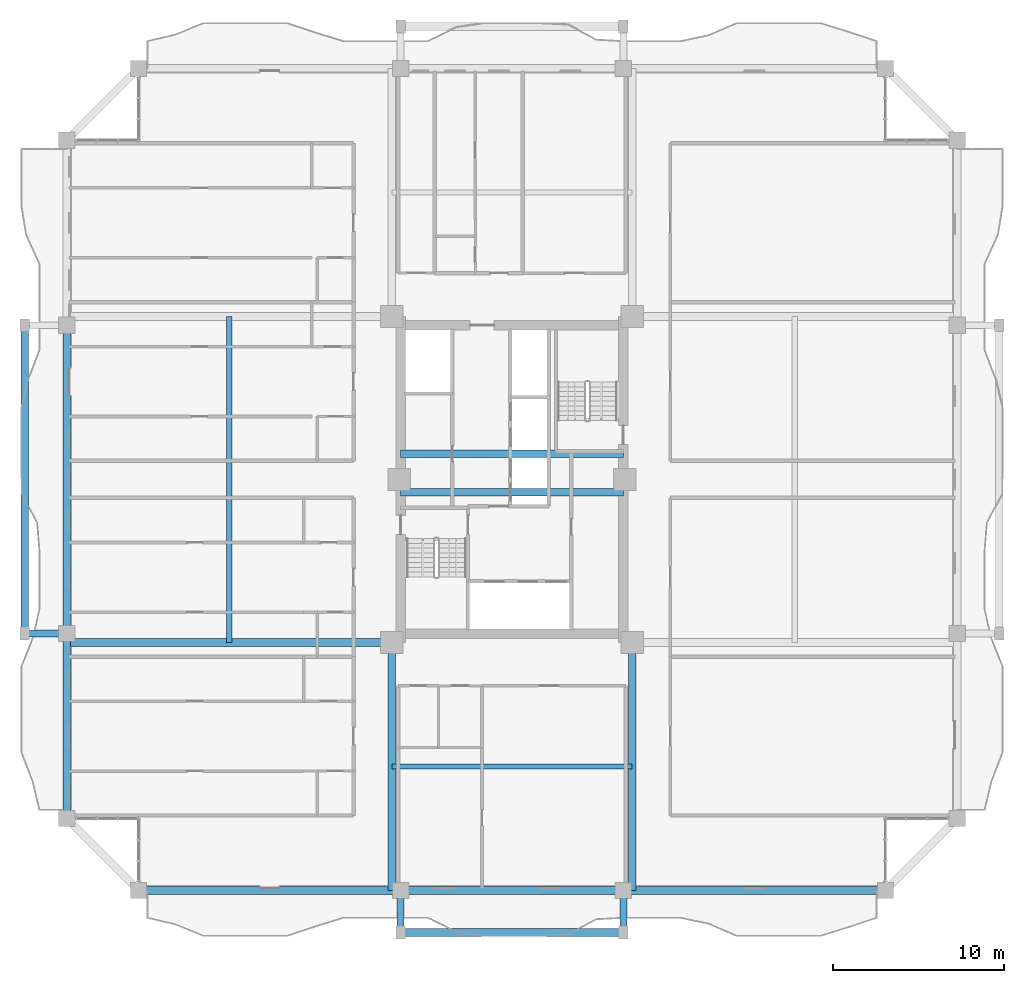
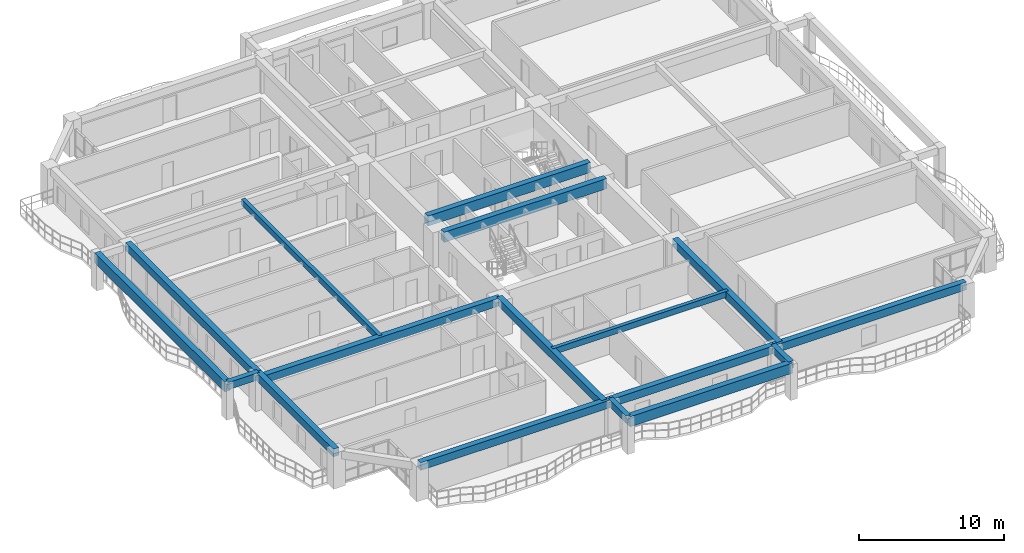
# One storey, part 3 of 22: 17 beams.
"""IFC4 building model written with IfcOpenShell, lengths in metres."""

from ifc_helpers import new_model, si_unit, direction, frame, origin, origin_2d, place, context, subcontext, project, spatial, rectangle, extrude, source, transform, mapped, material, material_profile, profile_set, type_object, element, save


model = new_model("IFC4")

# Units and contexts
model_context = context("Model", 3, precision=1e-05, world=origin(), true_north=direction((0.0, 1.0)))
body_context = subcontext(model_context, "Body", "Model", "MODEL_VIEW")
ifc_project = project(units=[si_unit("LENGTHUNIT", "METRE"), si_unit("AREAUNIT", "SQUARE_METRE"), si_unit("VOLUMEUNIT", "CUBIC_METRE"), si_unit("PLANEANGLEUNIT", "RADIAN"), si_unit("MASSUNIT", "GRAM", prefix="KILO")], contexts=[model_context])

# Site, building, storey
site_placement = place(None, origin())
site = spatial("IfcSite", under=ifc_project, at=site_placement, CompositionType="ELEMENT")
building_placement = place(site_placement, origin())
building = spatial("IfcBuilding", under=site, at=building_placement, Name="Saelheon Loggia Tower", CompositionType="ELEMENT")
storey_placement = place(building_placement, frame((0.0, 0.0, 135.75)))
storey = spatial("IfcBuildingStorey", under=building, at=storey_placement, Name="L43", CompositionType="ELEMENT", Elevation=135.75)

# Beams
ifc_material_1 = material(Name="Concrete C50/60", Category="concrete")
ifc_material_profile_1 = material_profile(ifc_material_1, rectangle(XDim=0.449951171875, YDim=0.85009765625, at=origin_2d()), Name="RC-450x850")
ifc_profile_set_1 = profile_set([ifc_material_profile_1], Name="Concrete C50/60")
beam_type_1 = type_object("IfcBeamType", Name="Beam_CoreLintel_RC450x850", PredefinedType="LINTEL", material=ifc_profile_set_1)
shared_shape_1 = source(origin(), body_context, "Body", "SweptSolid", [
    extrude(rectangle(XDim=0.449951171875, YDim=0.85009765625, at=origin_2d()), origin(), (0.0, 0.0, 1.0), 13.0),
])
for number, where, z_axis, x_axis, name in (
    (1, (31.5, 26.25, 2.574951171875), (1.0, 0.0, 0.0), (0.0, 1.0, 0.0), "L43 Core Coupling Lintel 1"),
    (2, (31.5, 28.5, 2.574951171875), (1.0, 0.0, 0.0), (0.0, 1.0, 0.0), "L43 Core Coupling Lintel 2"),
):
    element("IfcBeam", number, at=place(storey_placement, frame(where, z_axis=z_axis, x_axis=x_axis)), inside=storey, type_object=beam_type_1, Name=name, PredefinedType="LINTEL", context=body_context, shape_type="MappedRepresentation", body=[
        mapped(shared_shape_1, transform((0.0, 0.0, 0.0), scale=1.0)),
    ])
ifc_material_2 = material(Name="Precast Concrete C45/55", Category="concrete")
ifc_material_profile_2 = material_profile(ifc_material_2, rectangle(XDim=0.449951171875, YDim=0.85009765625, at=origin_2d()), Name="RC-450x850")
ifc_profile_set_2 = profile_set([ifc_material_profile_2], Name="Precast Concrete C45/55")
beam_type_2 = type_object("IfcBeamType", Name="Beam_LoggiaSpandrel_RC450x850", PredefinedType="SPANDREL", material=ifc_profile_set_2)
beam_1_placement = place(storey_placement, frame((31.5, 0.550048828125, 2.574951171875), z_axis=(1.0, 0.0, 0.0), x_axis=(0.0, 1.0, 0.0)))
element("IfcBeam", 3, at=beam_1_placement, inside=storey, type_object=beam_type_2, Name="L43 Loggia Spandrel Beam S", PredefinedType="SPANDREL", context=body_context, shape_type="MappedRepresentation", body=[
    mapped(shared_shape_1, transform((0.0, 0.0, 0.0), scale=1.0)),
])
ifc_material_profile_3 = material_profile(ifc_material_2, rectangle(XDim=0.39990234375, YDim=0.60009765625, at=origin_2d()), Name="RC-400x600")
ifc_profile_set_3 = profile_set([ifc_material_profile_3], Name="Precast Concrete C45/55")
beam_type_3 = type_object("IfcBeamType", Name="Beam_LoggiaTie_RC400x600", PredefinedType="BEAM", material=ifc_profile_set_3)
shared_shape_2 = source(origin(), body_context, "Body", "SweptSolid", [
    extrude(rectangle(XDim=0.39990234375, YDim=0.60009765625, at=origin_2d()), origin(), (0.0, 0.0, 1.0), 2.449951171875),
])
for number, where, z_axis, x_axis, name in (
    (4, (31.5, 3.0, 2.699951171875), (0.0, -1.0, 0.0), (1.0, 0.0, 0.0), "L43 Loggia Frame Tie Beam LP-S1"),
    (5, (44.5, 3.0, 2.699951171875), (0.0, -1.0, 0.0), (1.0, 0.0, 0.0), "L43 Loggia Frame Tie Beam LP-S2"),
    (6, (12.0, 18.0, 2.699951171875), (-1.0, 0.0, 0.0), (0.0, -1.0, 0.0), "L43 Loggia Frame Tie Beam LP-W1"),
):
    element("IfcBeam", number, at=place(storey_placement, frame(where, z_axis=z_axis, x_axis=x_axis)), inside=storey, type_object=beam_type_3, Name=name, PredefinedType="BEAM", context=body_context, shape_type="MappedRepresentation", body=[
        mapped(shared_shape_2, transform((0.0, 0.0, 0.0), scale=1.0)),
    ])
shared_shape_3 = source(origin(), body_context, "Body", "SweptSolid", [
    extrude(rectangle(XDim=0.449951171875, YDim=0.85009765625, at=origin_2d()), origin(), (0.0, 0.0, 1.0), 18.0),
])
beam_2_placement = place(storey_placement, frame((9.550048828125, 18.0, 2.574951171875), z_axis=(0.0, 1.0, 0.0), x_axis=(-1.0, 0.0, 0.0)))
element("IfcBeam", 7, at=beam_2_placement, inside=storey, type_object=beam_type_2, Name="L43 Loggia Spandrel Beam W", PredefinedType="SPANDREL", context=body_context, shape_type="MappedRepresentation", body=[
    mapped(shared_shape_3, transform((0.0, 0.0, 0.0), scale=1.0)),
])
ifc_material_3 = material(Name="Concrete C40/50", Category="concrete")
ifc_material_profile_4 = material_profile(ifc_material_3, rectangle(XDim=0.449951171875, YDim=0.64990234375, at=origin_2d()), Name="RC-450x650")
ifc_profile_set_4 = profile_set([ifc_material_profile_4], Name="Concrete C40/50")
beam_type_4 = type_object("IfcBeamType", Name="Beam_PerimTower_RC450x650", PredefinedType="BEAM", material=ifc_profile_set_4)
shared_shape_4 = source(origin(), body_context, "Body", "SweptSolid", [
    extrude(rectangle(XDim=0.449951171875, YDim=0.64990234375, at=origin_2d()), origin(), (0.0, 0.0, 1.0), 15.300048828125),
])
for number, where, z_axis, x_axis, name in (
    (8, (16.199951171875, 3.0, 2.675048828125), (1.0, 0.0, 0.0), (0.0, 1.0, 0.0), "L43 Perimeter Frame Girder 01"),
    (9, (44.5, 3.0, 2.675048828125), (1.0, 0.0, 0.0), (0.0, 1.0, 0.0), "L43 Perimeter Frame Girder 03"),
):
    element("IfcBeam", number, at=place(storey_placement, frame(where, z_axis=z_axis, x_axis=x_axis)), inside=storey, type_object=beam_type_4, Name=name, PredefinedType="BEAM", context=body_context, shape_type="MappedRepresentation", body=[
        mapped(shared_shape_4, transform((0.0, 0.0, 0.0), scale=1.0)),
    ])
shared_shape_5 = source(origin(), body_context, "Body", "SweptSolid", [
    extrude(rectangle(XDim=0.449951171875, YDim=0.64990234375, at=origin_2d()), origin(), (0.0, 0.0, 1.0), 13.0),
])
beam_3_placement = place(storey_placement, frame((31.5, 3.0, 2.675048828125), z_axis=(1.0, 0.0, 0.0), x_axis=(0.0, 1.0, 0.0)))
element("IfcBeam", 10, at=beam_3_placement, inside=storey, type_object=beam_type_4, Name="L43 Perimeter Frame Girder 02", PredefinedType="BEAM", context=body_context, shape_type="MappedRepresentation", body=[
    mapped(shared_shape_5, transform((0.0, 0.0, 0.0), scale=1.0)),
])
shared_shape_6 = source(origin(), body_context, "Body", "SweptSolid", [
    extrude(rectangle(XDim=0.449951171875, YDim=0.64990234375, at=origin_2d()), origin(), (0.0, 0.0, 1.0), 10.800048828125),
])
beam_4_placement = place(storey_placement, frame((12.0, 18.0, 2.675048828125), z_axis=(0.0, -1.0, 0.0), x_axis=(1.0, 0.0, 0.0)))
element("IfcBeam", 11, at=beam_4_placement, inside=storey, type_object=beam_type_4, Name="L43 Perimeter Frame Girder 15", PredefinedType="BEAM", context=body_context, shape_type="MappedRepresentation", body=[
    mapped(shared_shape_6, transform((0.0, 0.0, 0.0), scale=1.0)),
])
shared_shape_7 = source(origin(), body_context, "Body", "SweptSolid", [
    extrude(rectangle(XDim=0.449951171875, YDim=0.64990234375, at=origin_2d()), origin(), (0.0, 0.0, 1.0), 18.0),
])
beam_5_placement = place(storey_placement, frame((12.0, 36.0, 2.675048828125), z_axis=(0.0, -1.0, 0.0), x_axis=(1.0, 0.0, 0.0)))
element("IfcBeam", 12, at=beam_5_placement, inside=storey, type_object=beam_type_4, Name="L43 Perimeter Frame Girder 14", PredefinedType="BEAM", context=body_context, shape_type="MappedRepresentation", body=[
    mapped(shared_shape_7, transform((0.0, 0.0, 0.0), scale=1.0)),
])
ifc_material_profile_5 = material_profile(ifc_material_3, rectangle(XDim=0.449951171875, YDim=0.64990234375, at=origin_2d()), Name="RC-450x650")
ifc_profile_set_5 = profile_set([ifc_material_profile_5], Name="Concrete C40/50")
beam_type_5 = type_object("IfcBeamType", Name="Beam_TowerGirder_RC450x650", PredefinedType="BEAM", material=ifc_profile_set_5)
shared_shape_8 = source(origin(), body_context, "Body", "SweptSolid", [
    extrude(rectangle(XDim=0.449951171875, YDim=0.64990234375, at=origin_2d()), origin(), (0.0, 0.0, 1.0), 14.47998046875),
])
for number, where, z_axis, x_axis, name in (
    (13, (30.97998046875, 17.47998046875, 2.675048828125), (0.0, -1.0, 0.0), (1.0, 0.0, 0.0), "L43 Radial Floor Girder RAD-SW-S"),
    (14, (45.02001953125, 17.47998046875, 2.675048828125), (0.0, -1.0, 0.0), (1.0, 0.0, 0.0), "L43 Radial Floor Girder RAD-SE-S"),
):
    element("IfcBeam", number, at=place(storey_placement, frame(where, z_axis=z_axis, x_axis=x_axis)), inside=storey, type_object=beam_type_5, Name=name, PredefinedType="BEAM", context=body_context, shape_type="MappedRepresentation", body=[
        mapped(shared_shape_8, transform((0.0, 0.0, 0.0), scale=1.0)),
    ])
shared_shape_9 = source(origin(), body_context, "Body", "SweptSolid", [
    extrude(rectangle(XDim=0.449951171875, YDim=0.64990234375, at=origin_2d()), origin(), (0.0, 0.0, 1.0), 18.97998046875),
])
beam_6_placement = place(storey_placement, frame((30.97998046875, 17.47998046875, 2.675048828125), z_axis=(-1.0, 0.0, 0.0), x_axis=(0.0, -1.0, 0.0)))
element("IfcBeam", 15, at=beam_6_placement, inside=storey, type_object=beam_type_5, Name="L43 Radial Floor Girder RAD-SW-W", PredefinedType="BEAM", context=body_context, shape_type="MappedRepresentation", body=[
    mapped(shared_shape_9, transform((0.0, 0.0, 0.0), scale=1.0)),
])
ifc_material_profile_6 = material_profile(ifc_material_3, rectangle(XDim=0.300048828125, YDim=0.5, at=origin_2d()), Name="RC-300x500")
ifc_profile_set_6 = profile_set([ifc_material_profile_6], Name="Concrete C40/50")
beam_type_6 = type_object("IfcBeamType", Name="Beam_Joist_RC300x500", PredefinedType="JOIST", material=ifc_profile_set_6)
shared_shape_10 = source(origin(), body_context, "Body", "SweptSolid", [
    extrude(rectangle(XDim=0.300048828125, YDim=0.5, at=origin_2d()), origin(), (0.0, 0.0, 1.0), 14.0400390625),
])
beam_7_placement = place(storey_placement, frame((30.97998046875, 10.239990234375, 2.75), z_axis=(1.0, 0.0, 0.0), x_axis=(0.0, 1.0, 0.0)))
element("IfcBeam", 16, at=beam_7_placement, inside=storey, type_object=beam_type_6, Name="L43 South Floor Joist", PredefinedType="JOIST", context=body_context, shape_type="MappedRepresentation", body=[
    mapped(shared_shape_10, transform((0.0, 0.0, 0.0), scale=1.0)),
])
shared_shape_11 = source(origin(), body_context, "Body", "SweptSolid", [
    extrude(rectangle(XDim=0.300048828125, YDim=0.5, at=origin_2d()), origin(), (0.0, 0.0, 1.0), 19.0400390625),
])
beam_8_placement = place(storey_placement, frame((21.489990234375, 17.47998046875, 2.75), z_axis=(0.0, 1.0, 0.0), x_axis=(-1.0, 0.0, 0.0)))
element("IfcBeam", 17, at=beam_8_placement, inside=storey, type_object=beam_type_6, Name="L43 West Floor Joist", PredefinedType="JOIST", context=body_context, shape_type="MappedRepresentation", body=[
    mapped(shared_shape_11, transform((0.0, 0.0, 0.0), scale=1.0)),
])

save(model, "model.ifc")
